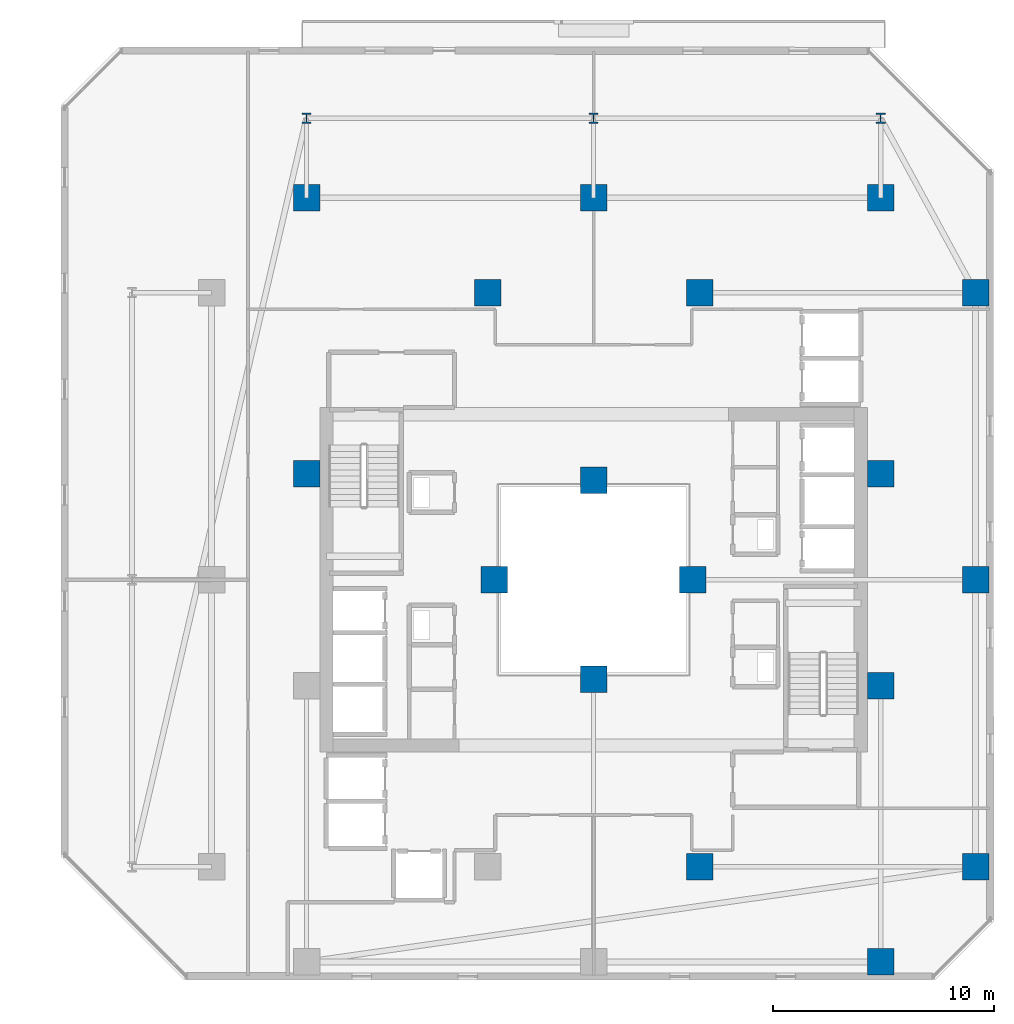
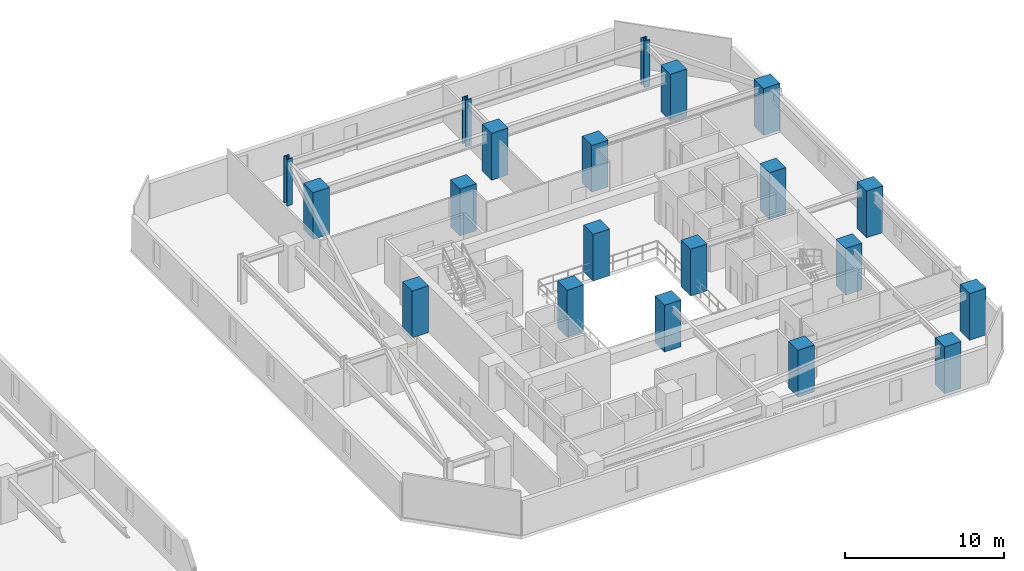
# One storey, part 2 of 29: 20 columns.
"""IFC4 building model written with IfcOpenShell, lengths in metres."""

from ifc_helpers import new_model, si_unit, direction, frame, origin, origin_2d, place, context, subcontext, project, spatial, rectangle, i_section, extrude, material, material_profile, profile_set, type_object, element, save


model = new_model("IFC4")

# Units and contexts
model_context = context("Model", 3, precision=1e-05, world=origin(), true_north=direction((0.0, 1.0)))
body_context = subcontext(model_context, "Body", "Model", "MODEL_VIEW")
ifc_project = project(units=[si_unit("LENGTHUNIT", "METRE"), si_unit("AREAUNIT", "SQUARE_METRE"), si_unit("VOLUMEUNIT", "CUBIC_METRE"), si_unit("PLANEANGLEUNIT", "RADIAN"), si_unit("MASSUNIT", "GRAM", prefix="KILO")], contexts=[model_context])

# Site, building, storey
site_placement = place(None, origin())
site = spatial("IfcSite", under=ifc_project, at=site_placement, CompositionType="ELEMENT")
building_placement = place(site_placement, origin())
building = spatial("IfcBuilding", under=site, at=building_placement, Name="Thornwick Lancets Civic Towers", CompositionType="ELEMENT")
storey_placement = place(building_placement, frame((0.0, 0.0, 83.699951171875)))
storey = spatial("IfcBuildingStorey", under=building, at=storey_placement, Name="L21", CompositionType="ELEMENT", Elevation=83.699951171875)

# Columns
ifc_material_1 = material(Name="Concrete C60/75", Category="concrete")
ifc_material_profile_1 = material_profile(ifc_material_1, rectangle(XDim=1.199951171875, YDim=1.199951171875, at=origin_2d()), Name="RC 1200x1200")
ifc_profile_set_1 = profile_set([ifc_material_profile_1], Name="Concrete C60/75")
column_type_1 = type_object("IfcColumnType", Name="COL_RC_1200", PredefinedType="COLUMN", material=ifc_profile_set_1)
for number, where, z_axis, x_axis, name in (
    (1, (105.800048828125, 14.0, 0.0), (0.0, 0.0, 1.0), (1.0, 0.0, 0.0), "L21 Spine Mega-Column B01"),
    (2, (105.800048828125, 27.0, 0.0), (0.0, 0.0, 1.0), (1.0, 0.0, 0.0), "L21 Spine Mega-Column B02"),
    (3, (105.800048828125, 40.0, 0.0), (0.0, 0.0, 1.0), (1.0, 0.0, 0.0), "L21 Spine Mega-Column B03"),
    (4, (101.5, 44.300048828125, 0.0), (0.0, 0.0, 1.0), (1.0, 0.0, 0.0), "L21 Spine Mega-Column B04"),
    (5, (88.5, 44.300048828125, 0.0), (0.0, 0.0, 1.0), (1.0, 0.0, 0.0), "L21 Spine Mega-Column B05"),
    (6, (75.5, 44.300048828125, 0.0), (0.0, 0.0, 1.0), (1.0, 0.0, 0.0), "L21 Spine Mega-Column B06"),
    (7, (101.5, 9.699951171875, 0.0), (0.0, 0.0, 1.0), (1.0, 0.0, 0.0), "L21 Spine Mega-Column B10"),
    (8, (93.300048828125, 14.0, 0.0), (0.0, 0.0, 1.0), (1.0, 0.0, 0.0), "L21 Spine Mega-Column B13"),
    (9, (93.300048828125, 40.0, 0.0), (0.0, 0.0, 1.0), (1.0, 0.0, 0.0), "L21 Spine Mega-Column B14"),
    (10, (83.699951171875, 40.0, 0.0), (0.0, 0.0, 1.0), (1.0, 0.0, 0.0), "L21 Spine Mega-Column B16"),
    (11, (101.5, 22.199951171875, 0.0), (0.0, 0.0, 1.0), (1.0, 0.0, 0.0), "L21 Spine Mega-Column B17"),
    (12, (101.5, 31.800048828125, 0.0), (0.0, 0.0, 1.0), (1.0, 0.0, 0.0), "L21 Spine Mega-Column B18"),
    (13, (75.5, 31.800048828125, 0.0), (0.0, 0.0, 1.0), (1.0, 0.0, 0.0), "L21 Spine Mega-Column B20"),
    (14, (93.0, 27.0, 0.0), (0.0, 0.0, 1.0), (1.0, 0.0, 0.0), "L21 Spine Mega-Column B21"),
    (15, (84.0, 27.0, 0.0), (0.0, 0.0, 1.0), (1.0, 0.0, 0.0), "L21 Spine Mega-Column B22"),
    (16, (88.5, 22.5, 0.0), (0.0, 0.0, 1.0), (1.0, 0.0, 0.0), "L21 Spine Mega-Column B23"),
    (17, (88.5, 31.5, 0.0), (0.0, 0.0, 1.0), (1.0, 0.0, 0.0), "L21 Spine Mega-Column B24"),
):
    element("IfcColumn", number, at=place(storey_placement, frame(where, z_axis=z_axis, x_axis=x_axis)), inside=storey, type_object=column_type_1, Name=name, PredefinedType="COLUMN", context=body_context, shape_type="SweptSolid", body=[
        extrude(rectangle(XDim=1.199951171875, YDim=1.199951171875, at=origin_2d()), origin(), (0.0, 0.0, 1.0), 3.60009765625),
    ])
ifc_material_2 = material(Name="Steel S460M", Category="steel")
ifc_material_profile_2 = material_profile(ifc_material_2, i_section(OverallWidth=0.41845703125, OverallDepth=0.45556640625, WebThickness=0.0419921875, FlangeThickness=0.0673828125, FilletRadius=0.01513671875, at=origin_2d()), Name="UKC 356x406x551")
ifc_profile_set_2 = profile_set([ifc_material_profile_2], Name="Steel S460M")
column_type_2 = type_object("IfcColumnType", Name="COL_UKC_551", PredefinedType="COLUMN", material=ifc_profile_set_2)
for number, where, z_axis, x_axis, name in (
    (18, (101.5, 47.89990234375, 0.0), (0.0, 0.0, 1.0), (1.0, 0.0, 0.0), "L21 Block Perimeter Column B04"),
    (19, (88.5, 47.89990234375, 0.0), (0.0, 0.0, 1.0), (1.0, 0.0, 0.0), "L21 Block Perimeter Column B05"),
    (20, (75.5, 47.89990234375, 0.0), (0.0, 0.0, 1.0), (1.0, 0.0, 0.0), "L21 Block Perimeter Column B06"),
):
    element("IfcColumn", number, at=place(storey_placement, frame(where, z_axis=z_axis, x_axis=x_axis)), inside=storey, type_object=column_type_2, Name=name, PredefinedType="COLUMN", context=body_context, shape_type="SweptSolid", body=[
        extrude(i_section(OverallWidth=0.41845703125, OverallDepth=0.45556640625, WebThickness=0.0419921875, FlangeThickness=0.0673828125, FilletRadius=0.01513671875, at=origin_2d()), origin(), (0.0, 0.0, 1.0), 3.60009765625),
    ])

save(model, "model.ifc")
